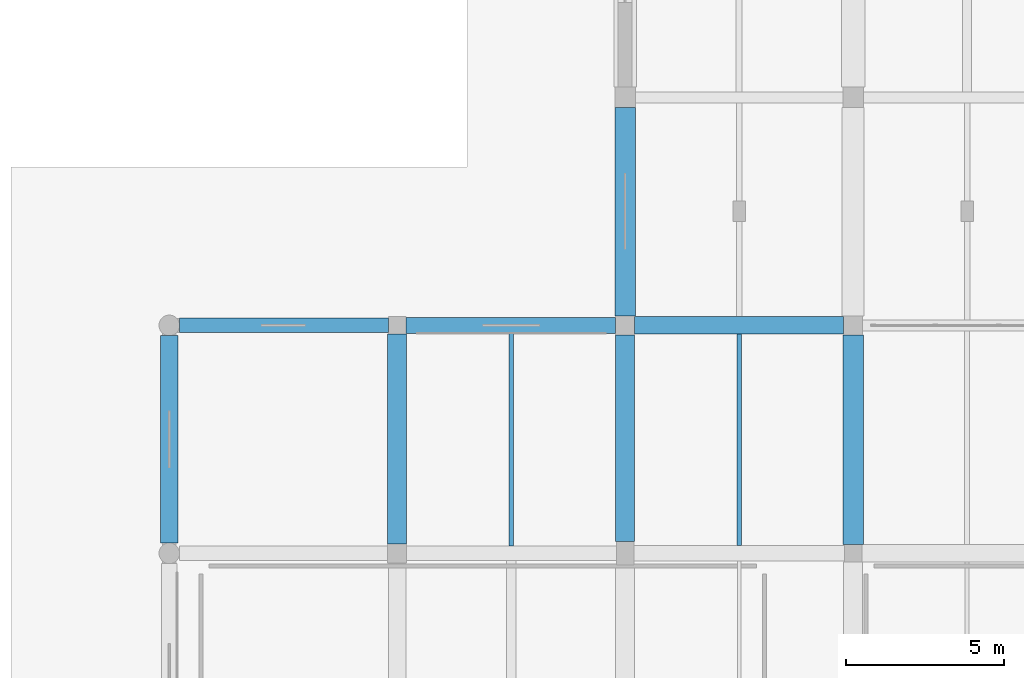
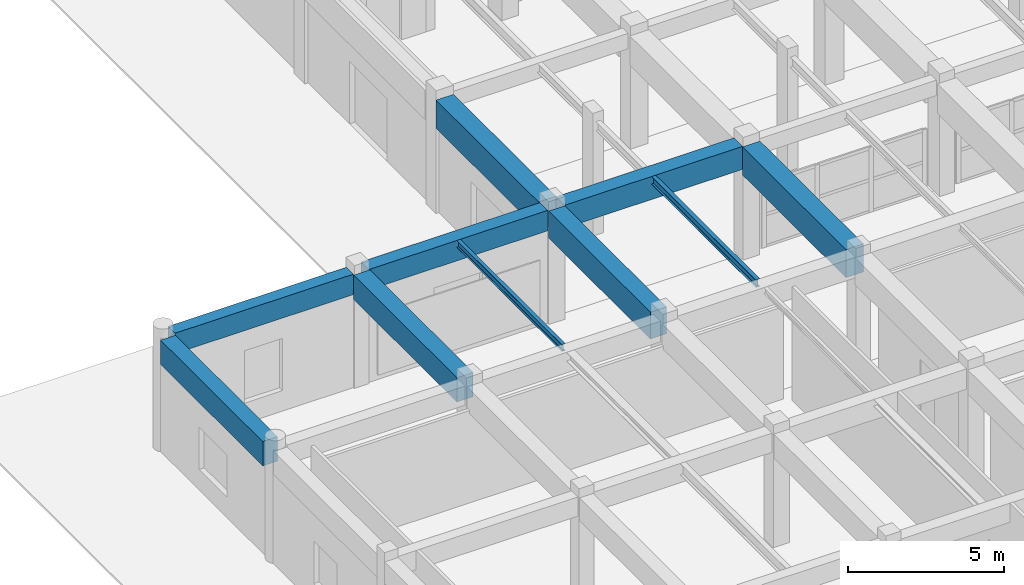
# One storey, part 6 of 72: 10 beams.
"""IFC4 building model written with IfcOpenShell, lengths in metres."""

from ifc_helpers import new_model, si_unit, direction, frame, origin, origin_2d, place, context, subcontext, project, spatial, rectangle, i_section, extrude, material, material_profile, profile_set, type_object, element, save


model = new_model("IFC4")

# Units and contexts
model_context = context("Model", 3, precision=1e-05, world=origin(), true_north=direction((0.0, 1.0)))
body_context = subcontext(model_context, "Body", "Model", "MODEL_VIEW")
ifc_project = project(units=[si_unit("LENGTHUNIT", "METRE"), si_unit("AREAUNIT", "SQUARE_METRE"), si_unit("VOLUMEUNIT", "CUBIC_METRE"), si_unit("PLANEANGLEUNIT", "RADIAN"), si_unit("MASSUNIT", "GRAM", prefix="KILO")], contexts=[model_context])

# Site, building, storey
site_placement = place(None, origin())
site = spatial("IfcSite", under=ifc_project, at=site_placement, CompositionType="ELEMENT")
building_placement = place(site_placement, origin())
building = spatial("IfcBuilding", under=site, at=building_placement, Name="Korsvaeld Concert Hall", CompositionType="ELEMENT")
storey_placement = place(building_placement, origin())
storey = spatial("IfcBuildingStorey", under=building, at=storey_placement, Name="L00", CompositionType="ELEMENT", Elevation=0.0)

# Beams
ifc_material_1 = material(Name="Concrete C35/45", Category="concrete")
ifc_material_profile_1 = material_profile(ifc_material_1, rectangle(XDim=0.449951171875, YDim=0.800048828125, at=origin_2d()), Name="RC 450x800")
ifc_profile_set_1 = profile_set([ifc_material_profile_1], Name="Concrete C35/45")
beam_type_1 = type_object("IfcBeamType", Name="BM-RC-450x800", PredefinedType="T_BEAM", material=ifc_profile_set_1)
beam_1_placement = place(storey_placement, frame((0.324951171875, 36.0, 4.0400390625), z_axis=(1.0, 0.0, 0.0), x_axis=(0.0, 1.0, 0.0)))
element("IfcBeam", 1, at=beam_1_placement, inside=storey, type_object=beam_type_1, Name="Primary girder 1-2/F L00", PredefinedType="T_BEAM", context=body_context, shape_type="SweptSolid", body=[
    extrude(rectangle(XDim=0.449951171875, YDim=0.800048828125, at=origin_2d()), origin(), (0.0, 0.0, 1.0), 6.60009765625),
])
ifc_material_2 = material(Name="Concrete C40/50", Category="concrete")
ifc_material_profile_2 = material_profile(ifc_material_2, rectangle(XDim=0.5, YDim=0.800048828125, at=origin_2d()), Name="RC 500x800")
ifc_profile_set_2 = profile_set([ifc_material_profile_2], Name="Concrete C40/50")
beam_type_2 = type_object("IfcBeamType", Name="BM-RC-500x800", PredefinedType="T_BEAM", material=ifc_profile_set_2)
beam_2_placement = place(storey_placement, frame((7.47509765625, 36.0, 4.0400390625), z_axis=(1.0, 0.0, 0.0), x_axis=(0.0, 1.0, 0.0)))
element("IfcBeam", 2, at=beam_2_placement, inside=storey, type_object=beam_type_2, Name="Primary girder 2-3/F L00", PredefinedType="T_BEAM", context=body_context, shape_type="SweptSolid", body=[
    extrude(rectangle(XDim=0.5, YDim=0.800048828125, at=origin_2d()), origin(), (0.0, 0.0, 1.0), 6.625),
])
ifc_material_profile_3 = material_profile(ifc_material_2, rectangle(XDim=0.550048828125, YDim=0.89990234375, at=origin_2d()), Name="RC 550x900")
ifc_profile_set_3 = profile_set([ifc_material_profile_3], Name="Concrete C40/50")
beam_type_3 = type_object("IfcBeamType", Name="BM-RC-550x900", PredefinedType="T_BEAM", material=ifc_profile_set_3)
beam_3_placement = place(storey_placement, frame((14.699951171875, 36.0, 3.989990234375), z_axis=(1.0, 0.0, 0.0), x_axis=(0.0, 1.0, 0.0)))
element("IfcBeam", 3, at=beam_3_placement, inside=storey, type_object=beam_type_3, Name="Primary girder 3-4/F L00", PredefinedType="T_BEAM", context=body_context, shape_type="SweptSolid", body=[
    extrude(rectangle(XDim=0.550048828125, YDim=0.89990234375, at=origin_2d()), origin(), (0.0, 0.0, 1.0), 6.60009765625),
])
ifc_material_profile_4 = material_profile(ifc_material_2, rectangle(XDim=0.550048828125, YDim=0.949951171875, at=origin_2d()), Name="RC 550x950")
ifc_profile_set_4 = profile_set([ifc_material_profile_4], Name="Concrete C40/50")
beam_type_4 = type_object("IfcBeamType", Name="BM-RC-550x950", PredefinedType="T_BEAM", material=ifc_profile_set_4)
beam_4_placement = place(storey_placement, frame((0.0, 29.125, 3.965087890625), z_axis=(0.0, 1.0, 0.0), x_axis=(-1.0, 0.0, 0.0)))
element("IfcBeam", 4, at=beam_4_placement, inside=storey, type_object=beam_type_4, Name="Primary girder 1/E-F L00", PredefinedType="T_BEAM", context=body_context, shape_type="SweptSolid", body=[
    extrude(rectangle(XDim=0.550048828125, YDim=0.949951171875, at=origin_2d()), origin(), (0.0, 0.0, 1.0), 6.550048828125),
])
ifc_material_profile_5 = material_profile(ifc_material_2, rectangle(XDim=0.60009765625, YDim=1.050048828125, at=origin_2d()), Name="RC 600x1050")
ifc_profile_set_5 = profile_set([ifc_material_profile_5], Name="Concrete C40/50")
beam_type_5 = type_object("IfcBeamType", Name="BM-RC-600x1050", PredefinedType="T_BEAM", material=ifc_profile_set_5)
beam_5_placement = place(storey_placement, frame((14.39990234375, 29.175048828125, 3.9150390625), z_axis=(0.0, 1.0, 0.0), x_axis=(-1.0, 0.0, 0.0)))
element("IfcBeam", 5, at=beam_5_placement, inside=storey, type_object=beam_type_5, Name="Primary girder 3/E-F L00", PredefinedType="T_BEAM", context=body_context, shape_type="SweptSolid", body=[
    extrude(rectangle(XDim=0.60009765625, YDim=1.050048828125, at=origin_2d()), origin(), (0.0, 0.0, 1.0), 6.52490234375),
])
ifc_material_profile_6 = material_profile(ifc_material_2, rectangle(XDim=0.60009765625, YDim=0.949951171875, at=origin_2d()), Name="RC 600x950")
ifc_profile_set_6 = profile_set([ifc_material_profile_6], Name="Concrete C40/50")
beam_type_6 = type_object("IfcBeamType", Name="BM-RC-600x950", PredefinedType="T_BEAM", material=ifc_profile_set_6)
beam_6_placement = place(storey_placement, frame((7.199951171875, 29.10009765625, 3.965087890625), z_axis=(0.0, 1.0, 0.0), x_axis=(-1.0, 0.0, 0.0)))
element("IfcBeam", 6, at=beam_6_placement, inside=storey, type_object=beam_type_6, Name="Primary girder 2/E-F L00", PredefinedType="T_BEAM", context=body_context, shape_type="SweptSolid", body=[
    extrude(rectangle(XDim=0.60009765625, YDim=0.949951171875, at=origin_2d()), origin(), (0.0, 0.0, 1.0), 6.625),
])
ifc_material_profile_7 = material_profile(ifc_material_2, rectangle(XDim=0.64990234375, YDim=1.10009765625, at=origin_2d()), Name="RC 650x1100")
ifc_profile_set_7 = profile_set([ifc_material_profile_7], Name="Concrete C40/50")
beam_type_7 = type_object("IfcBeamType", Name="BM-RC-650x1100", PredefinedType="T_BEAM", material=ifc_profile_set_7)
beam_7_placement = place(storey_placement, frame((14.39990234375, 36.300048828125, 3.889892578125), z_axis=(0.0, 1.0, 0.0), x_axis=(-1.0, 0.0, 0.0)))
element("IfcBeam", 7, at=beam_7_placement, inside=storey, type_object=beam_type_7, Name="Primary girder 3/F-G L00", PredefinedType="T_BEAM", context=body_context, shape_type="SweptSolid", body=[
    extrude(rectangle(XDim=0.64990234375, YDim=1.10009765625, at=origin_2d()), origin(), (0.0, 0.0, 1.0), 6.574951171875),
])
beam_8_placement = place(storey_placement, frame((21.60009765625, 29.074951171875, 3.889892578125), z_axis=(0.0, 1.0, 0.0), x_axis=(-1.0, 0.0, 0.0)))
element("IfcBeam", 8, at=beam_8_placement, inside=storey, type_object=beam_type_7, Name="Primary girder 4/E-F L00", PredefinedType="T_BEAM", context=body_context, shape_type="SweptSolid", body=[
    extrude(rectangle(XDim=0.64990234375, YDim=1.10009765625, at=origin_2d()), origin(), (0.0, 0.0, 1.0), 6.625),
])
ifc_material_3 = material(Name="Steel S355J2", Category="steel")
ifc_material_profile_8 = material_profile(ifc_material_3, i_section(OverallWidth=0.135009765625, OverallDepth=0.27001953125, WebThickness=0.006591796875, FlangeThickness=0.01025390625, FilletRadius=0.014892578125, at=origin_2d()), Name="IPE 270")
ifc_profile_set_8 = profile_set([ifc_material_profile_8], Name="Steel S355J2")
beam_type_8 = type_object("IfcBeamType", Name="BM-STL-IPE270", PredefinedType="JOIST", material=ifc_profile_set_8)
beam_9_placement = place(storey_placement, frame((10.800048828125, 29.02490234375, 4.304931640625), z_axis=(0.0, 1.0, 0.0), x_axis=(-1.0, 0.0, 0.0)))
element("IfcBeam", 9, at=beam_9_placement, inside=storey, type_object=beam_type_8, Name="Secondary steel floor beam 2-3/E L00", PredefinedType="JOIST", context=body_context, shape_type="SweptSolid", body=[
    extrude(i_section(OverallWidth=0.135009765625, OverallDepth=0.27001953125, WebThickness=0.006591796875, FlangeThickness=0.01025390625, FilletRadius=0.014892578125, at=origin_2d()), origin(), (0.0, 0.0, 1.0), 6.72509765625),
])
ifc_material_profile_9 = material_profile(ifc_material_3, i_section(OverallWidth=0.14990234375, OverallDepth=0.300048828125, WebThickness=0.007080078125, FlangeThickness=0.0107421875, FilletRadius=0.014892578125, at=origin_2d()), Name="IPE 300")
ifc_profile_set_9 = profile_set([ifc_material_profile_9], Name="Steel S355J2")
beam_type_9 = type_object("IfcBeamType", Name="BM-STL-IPE300", PredefinedType="JOIST", material=ifc_profile_set_9)
beam_10_placement = place(storey_placement, frame((18.0, 29.050048828125, 4.2900390625), z_axis=(0.0, 1.0, 0.0), x_axis=(-1.0, 0.0, 0.0)))
element("IfcBeam", 10, at=beam_10_placement, inside=storey, type_object=beam_type_9, Name="Secondary steel floor beam 3-4/E L00", PredefinedType="JOIST", context=body_context, shape_type="SweptSolid", body=[
    extrude(i_section(OverallWidth=0.14990234375, OverallDepth=0.300048828125, WebThickness=0.007080078125, FlangeThickness=0.0107421875, FilletRadius=0.014892578125, at=origin_2d()), origin(), (0.0, 0.0, 1.0), 6.675048828125),
])

save(model, "model.ifc")
